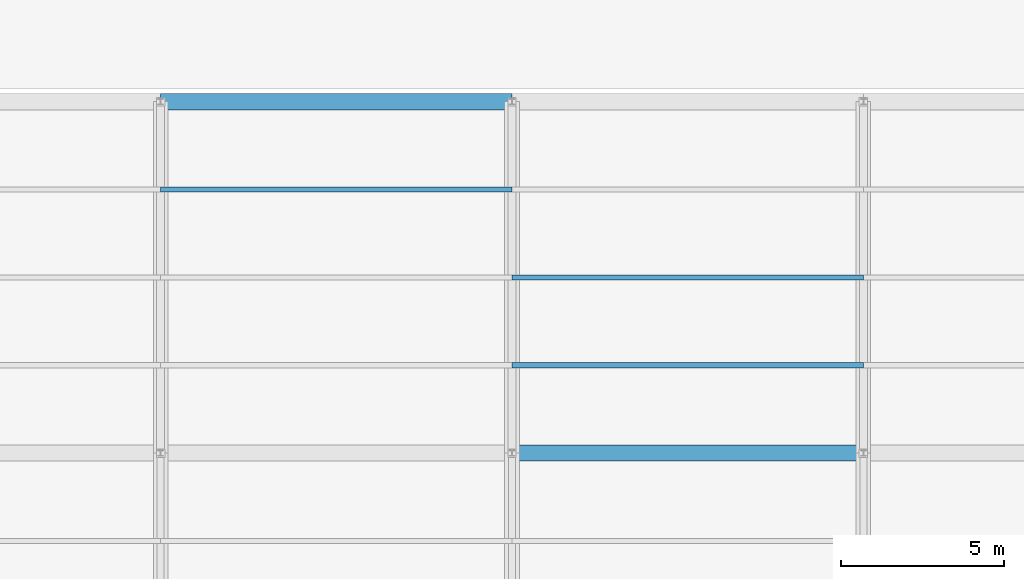
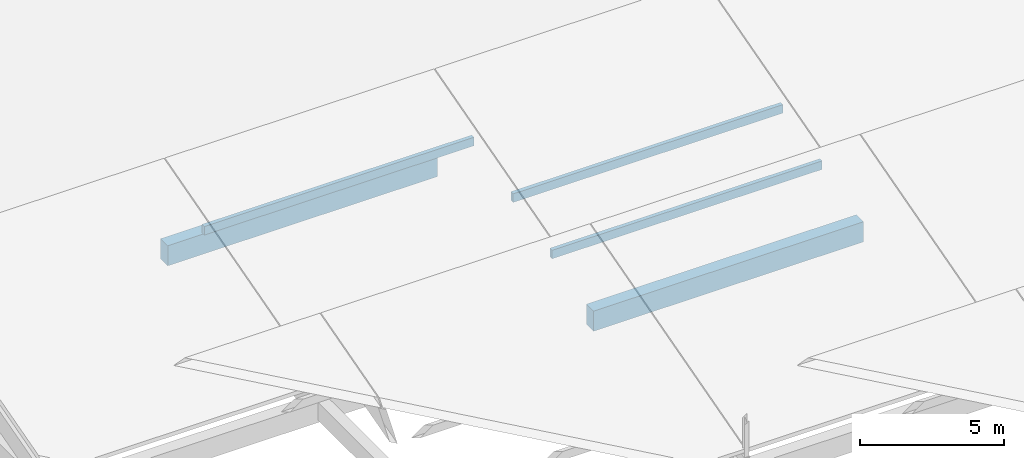
# One storey, part 33 of 112: 3 members, 2 beams.
"""IFC4 building model written with IfcOpenShell, lengths in metres."""

from ifc_helpers import new_model, si_unit, direction, frame, origin, origin_2d, place, context, subcontext, project, spatial, rectangle, extrude, material, material_profile, profile_set, type_object, element, save


model = new_model("IFC4")

# Units and contexts
model_context = context("Model", 3, precision=1e-05, world=origin(), true_north=direction((0.0, 1.0)))
body_context = subcontext(model_context, "Body", "Model", "MODEL_VIEW")
ifc_project = project(units=[si_unit("LENGTHUNIT", "METRE"), si_unit("AREAUNIT", "SQUARE_METRE"), si_unit("VOLUMEUNIT", "CUBIC_METRE"), si_unit("PLANEANGLEUNIT", "RADIAN"), si_unit("MASSUNIT", "GRAM", prefix="KILO")], contexts=[model_context])

# Site, building, storey
site_placement = place(None, origin())
site = spatial("IfcSite", under=ifc_project, at=site_placement, CompositionType="ELEMENT")
building_placement = place(site_placement, origin())
building = spatial("IfcBuilding", under=site, at=building_placement, Name="Zwinboog Wholesale Market", CompositionType="ELEMENT")
storey_placement = place(building_placement, frame((0.0, 0.0, 19.080078125)))
storey = spatial("IfcBuildingStorey", under=building, at=storey_placement, Name="Roof", CompositionType="ELEMENT", Elevation=19.080078125)

# Beams
ifc_material_1 = material(Name="Precast concrete C45/55", Category="concrete")
ifc_material_profile_1 = material_profile(ifc_material_1, rectangle(XDim=0.5, YDim=0.85009765625, at=origin_2d()), Name="PC 500x850")
ifc_profile_set_1 = profile_set([ifc_material_profile_1], Name="Precast concrete C45/55")
beam_type = type_object("IfcBeamType", Name="BT-03", PredefinedType="BEAM", material=ifc_profile_set_1)
beam_1_placement = place(storey_placement, frame((21.60009765625, 97.199951171875, -9.425048828125), z_axis=(1.0, 0.0, 0.0), x_axis=(0.0, 1.0, 0.0)))
element("IfcBeam", 1, at=beam_1_placement, inside=storey, type_object=beam_type, Name="BG-03 (BMG-Roof-0216-0972-1185)", PredefinedType="BEAM", context=body_context, shape_type="SweptSolid", body=[
    extrude(rectangle(XDim=0.5, YDim=0.85009765625, at=origin_2d()), origin(), (0.0, 0.0, 1.0), 10.7998046875),
])
beam_2_placement = place(storey_placement, frame((10.800048828125, 108.0, -9.425048828125), z_axis=(1.0, 0.0, 0.0), x_axis=(0.0, 1.0, 0.0)))
element("IfcBeam", 2, at=beam_2_placement, inside=storey, type_object=beam_type, Name="BG-03 (BMG-Roof-0108-1080-1188)", PredefinedType="BEAM", context=body_context, shape_type="SweptSolid", body=[
    extrude(rectangle(XDim=0.5, YDim=0.85009765625, at=origin_2d()), origin(), (0.0, 0.0, 1.0), 10.800048828125),
])

# Members
ifc_material_2 = material(Name="Glulam GL28h", Category="wood")
ifc_material_profile_2 = material_profile(ifc_material_2, rectangle(XDim=0.159912109375, YDim=0.360107421875, at=origin_2d()), Name="GL28h 160x360")
ifc_profile_set_2 = profile_set([ifc_material_profile_2], Name="Glulam GL28h")
member_type = type_object("IfcMemberType", Name="MT-12", PredefinedType="PURLIN", material=ifc_profile_set_2)
member_placement = place(storey_placement, frame((10.800048828125, 105.300048828125, -6.833251953125), z_axis=(1.0, 0.0, 0.0), x_axis=(0.0, 1.0, 0.0)))
element("IfcMember", 3, at=member_placement, inside=storey, type_object=member_type, Name="GP-01 (MEM-Roof-0835)", PredefinedType="PURLIN", context=body_context, shape_type="SweptSolid", body=[
    extrude(rectangle(XDim=0.159912109375, YDim=0.360107421875, at=origin_2d()), origin(), (0.0, 0.0, 1.0), 10.800048828125),
])
for number, where, z_axis, x_axis, name in (
    (4, (21.60009765625, 99.89990234375, -8.345703125), (1.0, 0.0, 0.0), (0.0, 1.0, 0.0), "GP-01 (MEM-Roof-0838)"),
    (5, (21.60009765625, 102.60009765625, -7.595703125), (1.0, 0.0, 0.0), (0.0, 1.0, 0.0), "GP-01 (MEM-PRL-Roof-0039)"),
):
    element("IfcMember", number, at=place(storey_placement, frame(where, z_axis=z_axis, x_axis=x_axis)), inside=storey, type_object=member_type, Name=name, PredefinedType="PURLIN", context=body_context, shape_type="SweptSolid", body=[
        extrude(rectangle(XDim=0.159912109375, YDim=0.360107421875, at=origin_2d()), origin(), (0.0, 0.0, 1.0), 10.7998046875),
    ])

save(model, "model.ifc")
